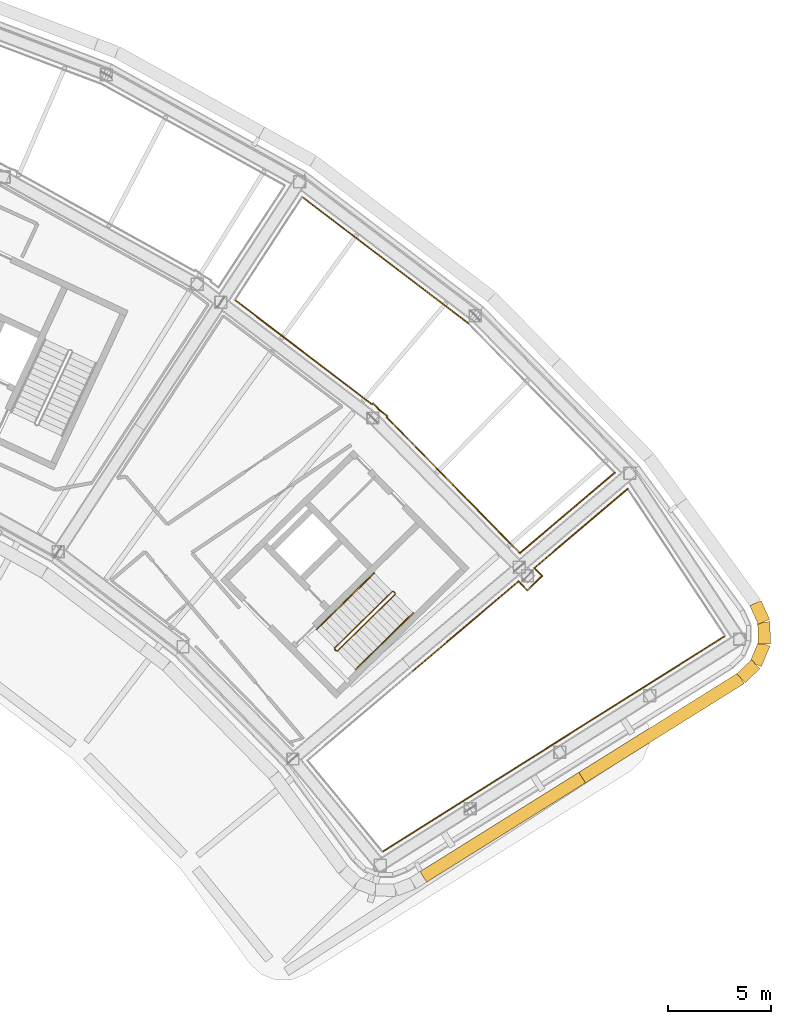
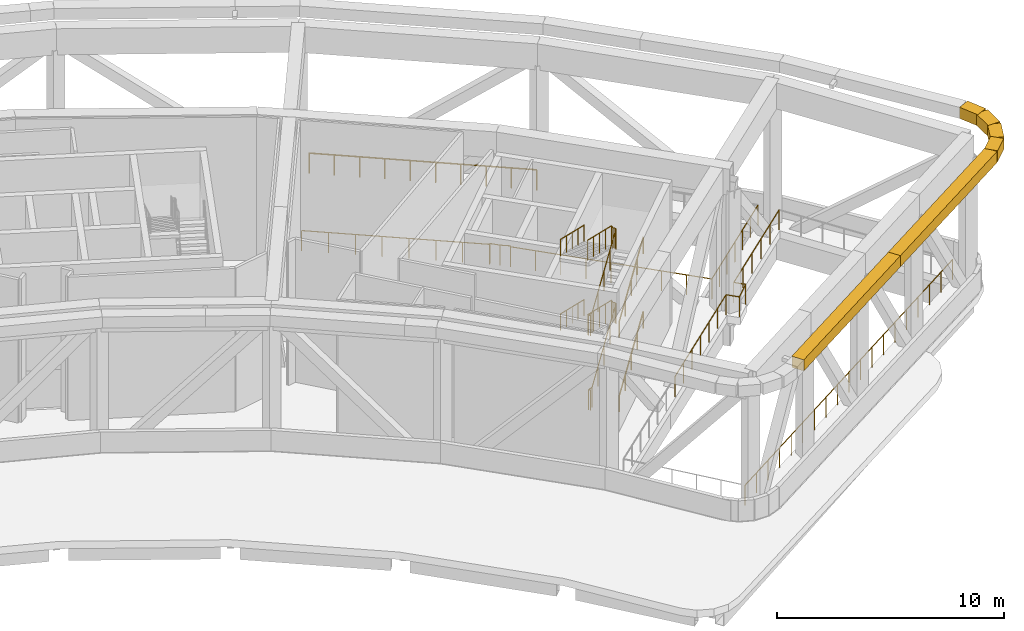
# One storey, part 24 of 27: 13 railings, 6 coverings.
"""IFC4 building model written with IfcOpenShell, lengths in metres."""

import ifcopenshell
import ifcopenshell.guid

model = None  # the IFC model being written
_history = None  # IfcOwnerHistory: only IFC2X3 demands one
_inside = {}  # id of a spatial element -> (the spatial element, [elements in it])
_under = {}  # id of a project, library or spatial element -> (it, [spatial elements below it])
_declared = {}  # id of a project -> (the project, [libraries it declares])
_typed = {}  # id of a type object -> (the type object, [elements of that type])
_made_of = {}  # id of a material, layer set ... -> (it, [elements and type objects made of it])


def new_model(schema):
    """Start an empty IFC model of exactly this schema.

    Asked for "IFC4X3", IfcOpenShell would pick the latest addendum, in which some entities
    have other attributes; the version numbers below select the first issue.
    IFC2X3 requires an IfcOwnerHistory on every rooted entity: one is made here for all.
    """
    global model, _history
    if schema == "IFC4X3":
        model = ifcopenshell.file(schema_version=(4, 3, 0, 0))
    else:
        model = ifcopenshell.file(schema=schema)
    _inside.clear()
    _under.clear()
    _declared.clear()
    _typed.clear()
    _made_of.clear()
    _history = None
    if model.schema == "IFC2X3":
        org = make("IfcOrganization", Name="unknown")
        user = make(
            "IfcPersonAndOrganization",
            ThePerson=make("IfcPerson", FamilyName="unknown"),
            TheOrganization=org,
        )
        app = make(
            "IfcApplication",
            ApplicationDeveloper=org,
            Version="unknown",
            ApplicationFullName="unknown",
            ApplicationIdentifier="unknown",
        )
        _history = make(
            "IfcOwnerHistory",
            OwningUser=user,
            OwningApplication=app,
            ChangeAction="ADDED",
            CreationDate=0,
        )
    return model


def make(cls, **values):
    """One entity of the class cls with the attributes given. An attribute that is None is left unset."""
    return model.create_entity(
        cls, **{name: value for name, value in values.items() if value is not None}
    )


def rooted(cls, **values):
    """An entity with a GlobalId (a new one), such as an element, a storey or a relation."""
    return make(cls, GlobalId=ifcopenshell.guid.new(), OwnerHistory=_history, **values)


def si_unit(unit_type, name, prefix=None):
    """IfcSIUnit, for example si_unit("LENGTHUNIT", "METRE", prefix="MILLI")."""
    return make("IfcSIUnit", UnitType=unit_type, Prefix=prefix, Name=name)


def assignment(units):
    """IfcUnitAssignment: the units of a project."""
    return None if units is None else make("IfcUnitAssignment", Units=units)


def point(xyz):
    """IfcCartesianPoint."""
    return None if xyz is None else make("IfcCartesianPoint", Coordinates=xyz)


def direction(xyz):
    """IfcDirection."""
    return None if xyz is None else make("IfcDirection", DirectionRatios=xyz)


def frame(location, z_axis=None, x_axis=None):
    """IfcAxis2Placement3D, a coordinate frame: its origin and axes. An axis left out is left unset."""
    return make(
        "IfcAxis2Placement3D",
        Location=point(location),
        Axis=direction(z_axis),
        RefDirection=direction(x_axis),
    )


def frame_2d(location, x_axis=None):
    """IfcAxis2Placement2D, a coordinate frame in the plane: its origin and x axis."""
    return make(
        "IfcAxis2Placement2D", Location=point(location), RefDirection=direction(x_axis)
    )


def origin():
    """The frame at (0, 0, 0) with its axes left unset."""
    return frame((0.0, 0.0, 0.0))


def origin_2d():
    """The frame at (0, 0) in the plane with its x axis left unset."""
    return frame_2d((0.0, 0.0))


def place(relative_to, where):
    """IfcLocalPlacement: puts the frame where relative to a parent placement (None: the world)."""
    return make(
        "IfcLocalPlacement", PlacementRelTo=relative_to, RelativePlacement=where
    )


def context(
    kind, dimensions, precision=None, world=None, true_north=None, identifier=None
):
    """IfcGeometricRepresentationContext, for example the 3D "Model" context."""
    return make(
        "IfcGeometricRepresentationContext",
        ContextIdentifier=identifier,
        ContextType=kind,
        CoordinateSpaceDimension=dimensions,
        Precision=precision,
        WorldCoordinateSystem=world,
        TrueNorth=true_north,
    )


def subcontext(parent, identifier, kind, view, scale=None):
    """IfcGeometricRepresentationSubContext, for example "Body" below "Model"."""
    return make(
        "IfcGeometricRepresentationSubContext",
        ContextIdentifier=identifier,
        ContextType=kind,
        ParentContext=parent,
        TargetScale=scale,
        TargetView=view,
    )


def project(units=None, contexts=None):
    """IfcProject with its units and contexts."""
    return rooted(
        "IfcProject",
        Name="project",
        RepresentationContexts=contexts,
        UnitsInContext=assignment(units),
    )


def spatial(cls, under=None, at=None, **own):
    """A site, building, storey or space (cls), placed at a placement, below another one or the project."""
    s = rooted(cls, ObjectPlacement=at, **own)
    if under is not None:
        _under.setdefault(under.id(), (under, []))[1].append(s)
    return s


def profile(cls, at=None, kind="AREA", **sizes):
    """A parametric profile (cls). Its sizes go by their IFC names, for example OverallWidth=200.0."""
    return make(cls, ProfileType=kind, Position=at, **sizes)


def rectangle(**sizes):
    """IfcRectangleProfileDef."""
    return profile("IfcRectangleProfileDef", **sizes)


def circle(**sizes):
    """IfcCircleProfileDef."""
    return profile("IfcCircleProfileDef", **sizes)


def extrude(swept, where, along, depth):
    """IfcExtrudedAreaSolid: the profile swept, set in the frame where, extruded along a direction by depth."""
    return make(
        "IfcExtrudedAreaSolid",
        SweptArea=swept,
        Position=where,
        ExtrudedDirection=direction(along),
        Depth=depth,
    )


def shape(context_of_items, identifier, shape_type, items):
    """IfcShapeRepresentation: the items that make up one representation, for example the "Body"."""
    return make(
        "IfcShapeRepresentation",
        ContextOfItems=context_of_items,
        RepresentationIdentifier=identifier,
        RepresentationType=shape_type,
        Items=items,
    )


def material(Name=None, Category=None):
    """IfcMaterial."""
    return make("IfcMaterial", Name=Name, Category=Category)


def material_profile(
    of_material, cross_section, Name=None, Category=None, Priority=None
):
    """IfcMaterialProfile: a cross section and its material."""
    return make(
        "IfcMaterialProfile",
        Name=Name,
        Material=of_material,
        Profile=cross_section,
        Priority=Priority,
        Category=Category,
    )


def profile_set(profiles, Name=None, composite=None):
    """IfcMaterialProfileSet."""
    return make(
        "IfcMaterialProfileSet",
        Name=Name,
        MaterialProfiles=profiles,
        CompositeProfile=composite,
    )


def made_of(thing, what):
    """Note that an element or type object is made of a material, layer set ...; save() writes the relation."""
    if what is not None:
        _made_of.setdefault(what.id(), (what, []))[1].append(thing)
    return thing


def type_object(cls, material=None, **own):
    """A type object (cls), such as IfcWallType, which elements share."""
    return made_of(rooted(cls, **own), material)


def element(
    cls,
    number,
    at=None,
    inside=None,
    cuts=None,
    type_object=None,
    material=None,
    context=None,
    identifier="Body",
    shape_type=None,
    held_by="IfcProductDefinitionShape",
    body=None,
    shapes=None,
    **own,
):
    """One element of the class cls, such as IfcWall. Its Tag is "e" and its number.

    at: its placement. inside: the storey or other place that contains it. cuts: it is an
    opening in that element (IfcRelVoidsElement). A single representation is given by context,
    identifier, shape_type and body (its items); several are given by shapes. held_by: the class
    of the entity that holds the representations. save() writes the other relations.
    """
    e = rooted(cls, Tag="e%d" % number, ObjectPlacement=at, **own)
    if body is not None:
        shapes = [shape(context, identifier, shape_type, body)]
    if shapes is not None:
        e.Representation = make(held_by, Representations=shapes)
    if inside is not None:
        _inside.setdefault(inside.id(), (inside, []))[1].append(e)
    if cuts is not None:
        rooted(
            "IfcRelVoidsElement", RelatingBuildingElement=cuts, RelatedOpeningElement=e
        )
    if type_object is not None:
        _typed.setdefault(type_object.id(), (type_object, []))[1].append(e)
    return made_of(e, material)


def aggregate(whole, parts):
    """IfcRelAggregates: a whole, such as a stair, and the parts it consists of."""
    return rooted("IfcRelAggregates", RelatingObject=whole, RelatedObjects=parts)


def save(model, path):
    """Write the relations noted so far, then the file.

    IfcRelAggregates (storeys below a building ...), IfcRelContainedInSpatialStructure (elements
    in a storey), IfcRelDefinesByType, IfcRelAssociatesMaterial and IfcRelDeclares: one each for
    every whole, place, type object, material and project.
    """
    for whole, parts in _under.values():
        aggregate(whole, parts)
    for where, things in _inside.values():
        rooted(
            "IfcRelContainedInSpatialStructure",
            RelatedElements=things,
            RelatingStructure=where,
        )
    for kind, things in _typed.values():
        rooted("IfcRelDefinesByType", RelatedObjects=things, RelatingType=kind)
    for what, things in _made_of.values():
        rooted("IfcRelAssociatesMaterial", RelatedObjects=things, RelatingMaterial=what)
    for by, libraries in _declared.values():
        rooted("IfcRelDeclares", RelatingContext=by, RelatedDefinitions=libraries)
    model.write(path)


model = new_model("IFC4")

# Units and contexts
model_context = context("Model", 3, precision=1e-05, world=origin(), true_north=direction((0.0, 1.0)))
body_context = subcontext(model_context, "Body", "Model", "MODEL_VIEW")
ifc_project = project(units=[si_unit("LENGTHUNIT", "METRE"), si_unit("AREAUNIT", "SQUARE_METRE"), si_unit("VOLUMEUNIT", "CUBIC_METRE"), si_unit("PLANEANGLEUNIT", "RADIAN"), si_unit("MASSUNIT", "GRAM", prefix="KILO")], contexts=[model_context])

# Site, building, storey
site_placement = place(None, origin())
site = spatial("IfcSite", under=ifc_project, at=site_placement, CompositionType="ELEMENT")
building_placement = place(site_placement, origin())
building = spatial("IfcBuilding", under=site, at=building_placement, Name="Tuul Gate Civic Tower", CompositionType="ELEMENT")
storey_placement = place(building_placement, frame((0.0, 0.0, 201.5)))
storey = spatial("IfcBuildingStorey", under=building, at=storey_placement, Name="Wind floor 1", CompositionType="ELEMENT", Elevation=201.5)

# Railings
ifc_material_1 = material(Name="Painted steel", Category="steel")
railing_type_1 = type_object("IfcRailingType", Name="Slot guard", PredefinedType="GUARDRAIL", material=ifc_material_1)
railing_1_placement = place(storey_placement, frame((50.21875, -4.4990234375, 0.0)))
element("IfcRailing", 1, at=railing_1_placement, inside=storey, type_object=railing_type_1, Name="Guard", PredefinedType="GUARDRAIL", context=body_context, shape_type="SweptSolid", body=[
    extrude(circle(Radius=0.02392578125, at=origin_2d()), frame((0.0, 0.0, 1.076171875), z_axis=(0.795492142745, -0.60596390225, 0.0), x_axis=(0.60596390225, 0.795492142745, 0.0)), (0.0, 0.0, 1.0), 0.463623046875),
    extrude(circle(Radius=0.02392578125, at=origin_2d()), frame((0.368896484375, -0.281005859375, 1.076171875), z_axis=(-0.604624178131, -0.796510893346, 0.0), x_axis=(0.796510893346, -0.604624178131, 0.0)), (0.0, 0.0, 1.0), 0.0673828125),
    extrude(circle(Radius=0.02392578125, at=origin_2d()), frame((0.328125, -0.334716796875, 1.076171875), z_axis=(0.700042236583, -0.714101440273, 0.0), x_axis=(0.714101440273, 0.700042236583, 0.0)), (0.0, 0.0, 1.0), 9.20361328125),
    extrude(circle(Radius=0.02099609375, at=origin_2d()), origin(), (0.0, 0.0, 1.0), 1.052001953125),
    extrude(circle(Radius=0.02099609375, at=origin_2d()), frame((0.368896484375, -0.281005859375, 0.0)), (0.0, 0.0, 1.0), 1.052001953125),
    extrude(circle(Radius=0.02099609375, at=origin_2d()), frame((0.328125, -0.334716796875, 0.0)), (0.0, 0.0, 1.0), 1.052001953125),
    extrude(circle(Radius=0.02099609375, at=origin_2d()), frame((1.133544921875, -1.15625, 0.0)), (0.0, 0.0, 1.0), 1.052001953125),
    extrude(circle(Radius=0.02099609375, at=origin_2d()), frame((1.93896484375, -1.977783203125, 0.0)), (0.0, 0.0, 1.0), 1.052001953125),
    extrude(circle(Radius=0.02099609375, at=origin_2d()), frame((2.744140625, -2.79931640625, 0.0)), (0.0, 0.0, 1.0), 1.052001953125),
    extrude(circle(Radius=0.02099609375, at=origin_2d()), frame((3.549560546875, -3.620849609375, 0.0)), (0.0, 0.0, 1.0), 1.052001953125),
    extrude(circle(Radius=0.02099609375, at=origin_2d()), frame((4.35498046875, -4.4423828125, 0.0)), (0.0, 0.0, 1.0), 1.052001953125),
    extrude(circle(Radius=0.02099609375, at=origin_2d()), frame((5.16015625, -5.263916015625, 0.0)), (0.0, 0.0, 1.0), 1.052001953125),
    extrude(circle(Radius=0.02099609375, at=origin_2d()), frame((5.965576171875, -6.08544921875, 0.0)), (0.0, 0.0, 1.0), 1.052001953125),
    extrude(circle(Radius=0.02099609375, at=origin_2d()), frame((6.77099609375, -6.906982421875, 0.0)), (0.0, 0.0, 1.0), 1.052001953125),
])
railing_2_placement = place(storey_placement, frame((56.98974609375, -11.406005859375, 0.0)))
element("IfcRailing", 2, at=railing_2_placement, inside=storey, type_object=railing_type_1, Name="Guard", PredefinedType="GUARDRAIL", context=body_context, shape_type="SweptSolid", body=[
    extrude(circle(Radius=0.02392578125, at=origin_2d()), frame((0.0, 0.0, 1.076171875), z_axis=(0.762811793953, 0.646620574221, 0.0), x_axis=(-0.646620574221, 0.762811793953, 0.0)), (0.0, 0.0, 1.0), 6.015625),
    extrude(circle(Radius=0.02099609375, at=origin_2d()), origin(), (0.0, 0.0, 1.0), 1.052001953125),
    extrude(circle(Radius=0.02099609375, at=origin_2d()), frame((0.764892578125, 0.6484375, 0.0)), (0.0, 0.0, 1.0), 1.052001953125),
    extrude(circle(Radius=0.02099609375, at=origin_2d()), frame((1.529541015625, 1.296630859375, 0.0)), (0.0, 0.0, 1.0), 1.052001953125),
    extrude(circle(Radius=0.02099609375, at=origin_2d()), frame((2.29443359375, 1.94482421875, 0.0)), (0.0, 0.0, 1.0), 1.052001953125),
    extrude(circle(Radius=0.02099609375, at=origin_2d()), frame((3.059326171875, 2.59326171875, 0.0)), (0.0, 0.0, 1.0), 1.052001953125),
    extrude(circle(Radius=0.02099609375, at=origin_2d()), frame((3.823974609375, 3.24169921875, 0.0)), (0.0, 0.0, 1.0), 1.052001953125),
    extrude(circle(Radius=0.02099609375, at=origin_2d()), frame((4.5888671875, 3.889892578125, 0.0)), (0.0, 0.0, 1.0), 1.052001953125),
])
railing_3_placement = place(storey_placement, frame((54.50537109375, -0.30078125, 0.0)))
element("IfcRailing", 3, at=railing_3_placement, inside=storey, type_object=railing_type_1, Name="Guard", PredefinedType="GUARDRAIL", context=body_context, shape_type="SweptSolid", body=[
    extrude(circle(Radius=0.02392578125, at=origin_2d()), frame((0.0, 0.0, 1.076171875), z_axis=(-0.795635251969, 0.605775986503, 0.0), x_axis=(-0.605775986503, -0.795635251969, 0.0)), (0.0, 0.0, 1.0), 10.103271484375),
    extrude(circle(Radius=0.02099609375, at=origin_2d()), origin(), (0.0, 0.0, 1.0), 1.052001953125),
    extrude(circle(Radius=0.02099609375, at=origin_2d()), frame((-0.89306640625, 0.679931640625, 0.0)), (0.0, 0.0, 1.0), 1.052001953125),
    extrude(circle(Radius=0.02099609375, at=origin_2d()), frame((-1.786376953125, 1.360107421875, 0.0)), (0.0, 0.0, 1.0), 1.052001953125),
    extrude(circle(Radius=0.02099609375, at=origin_2d()), frame((-2.679443359375, 2.0400390625, 0.0)), (0.0, 0.0, 1.0), 1.052001953125),
    extrude(circle(Radius=0.02099609375, at=origin_2d()), frame((-3.57275390625, 2.72021484375, 0.0)), (0.0, 0.0, 1.0), 1.052001953125),
    extrude(circle(Radius=0.02099609375, at=origin_2d()), frame((-4.4658203125, 3.400146484375, 0.0)), (0.0, 0.0, 1.0), 1.052001953125),
    extrude(circle(Radius=0.02099609375, at=origin_2d()), frame((-5.359130859375, 4.080322265625, 0.0)), (0.0, 0.0, 1.0), 1.052001953125),
    extrude(circle(Radius=0.02099609375, at=origin_2d()), frame((-6.252197265625, 4.76025390625, 0.0)), (0.0, 0.0, 1.0), 1.052001953125),
    extrude(circle(Radius=0.02099609375, at=origin_2d()), frame((-7.1455078125, 5.4404296875, 0.0)), (0.0, 0.0, 1.0), 1.052001953125),
    extrude(circle(Radius=0.02099609375, at=origin_2d()), frame((-8.03857421875, 6.120361328125, 0.0)), (0.0, 0.0, 1.0), 1.052001953125),
])
railing_4_placement = place(storey_placement, frame((43.21240234375, 0.83544921875, 0.0)))
element("IfcRailing", 4, at=railing_4_placement, inside=storey, type_object=railing_type_1, Name="Guard", PredefinedType="GUARDRAIL", context=body_context, shape_type="SweptSolid", body=[
    extrude(circle(Radius=0.02392578125, at=origin_2d()), frame((0.0, 0.0, 1.076171875), z_axis=(0.795628636918, -0.605784674712, 0.0), x_axis=(0.605784674712, 0.795628636918, 0.0)), (0.0, 0.0, 1.0), 8.337158203125),
    extrude(circle(Radius=0.02392578125, at=origin_2d()), frame((6.63330078125, -5.050537109375, 1.076171875), z_axis=(0.716090520118, 0.698007426176, 0.0), x_axis=(-0.698007426176, 0.716090520118, 0.0)), (0.0, 0.0, 1.0), 0.067626953125),
    extrude(circle(Radius=0.02392578125, at=origin_2d()), frame((6.681640625, -5.00341796875, 1.076171875), z_axis=(0.700229309304, -0.713918002569, 0.0), x_axis=(0.713918002569, 0.700229309304, 0.0)), (0.0, 0.0, 1.0), 0.463623046875),
    extrude(circle(Radius=0.02099609375, at=origin_2d()), origin(), (0.0, 0.0, 1.0), 1.052001953125),
    extrude(circle(Radius=0.02099609375, at=origin_2d()), frame((0.947509765625, -0.721435546875, 0.0)), (0.0, 0.0, 1.0), 1.052001953125),
    extrude(circle(Radius=0.02099609375, at=origin_2d()), frame((1.895263671875, -1.443115234375, 0.0)), (0.0, 0.0, 1.0), 1.052001953125),
    extrude(circle(Radius=0.02099609375, at=origin_2d()), frame((2.8427734375, -2.16455078125, 0.0)), (0.0, 0.0, 1.0), 1.052001953125),
    extrude(circle(Radius=0.02099609375, at=origin_2d()), frame((3.79052734375, -2.885986328125, 0.0)), (0.0, 0.0, 1.0), 1.052001953125),
    extrude(circle(Radius=0.02099609375, at=origin_2d()), frame((4.738037109375, -3.607421875, 0.0)), (0.0, 0.0, 1.0), 1.052001953125),
    extrude(circle(Radius=0.02099609375, at=origin_2d()), frame((5.685791015625, -4.3291015625, 0.0)), (0.0, 0.0, 1.0), 1.052001953125),
    extrude(circle(Radius=0.02099609375, at=origin_2d()), frame((6.63330078125, -5.050537109375, 0.0)), (0.0, 0.0, 1.0), 1.052001953125),
    extrude(circle(Radius=0.02099609375, at=origin_2d()), frame((6.681640625, -5.00341796875, 0.0)), (0.0, 0.0, 1.0), 1.052001953125),
    extrude(circle(Radius=0.02099609375, at=origin_2d()), frame((7.00634765625, -5.33447265625, 0.0)), (0.0, 0.0, 1.0), 1.052001953125),
])
railing_5_placement = place(storey_placement, frame((50.34765625, -25.843017578125, 0.0)))
element("IfcRailing", 5, at=railing_5_placement, inside=storey, type_object=railing_type_1, Name="Guard", PredefinedType="GUARDRAIL", context=body_context, shape_type="SweptSolid", body=[
    extrude(circle(Radius=0.02392578125, at=origin_2d()), frame((0.0, 0.0, 1.076171875), z_axis=(0.846205346491, 0.532856933491, 0.0), x_axis=(-0.532856933491, 0.846205346491, 0.0)), (0.0, 0.0, 1.0), 9.78759765625),
    extrude(circle(Radius=0.02099609375, at=origin_2d()), origin(), (0.0, 0.0, 1.0), 1.052001953125),
    extrude(circle(Radius=0.02099609375, at=origin_2d()), frame((0.920166015625, 0.57958984375, 0.0)), (0.0, 0.0, 1.0), 1.052001953125),
    extrude(circle(Radius=0.02099609375, at=origin_2d()), frame((1.840576171875, 1.158935546875, 0.0)), (0.0, 0.0, 1.0), 1.052001953125),
    extrude(circle(Radius=0.02099609375, at=origin_2d()), frame((2.7607421875, 1.738525390625, 0.0)), (0.0, 0.0, 1.0), 1.052001953125),
    extrude(circle(Radius=0.02099609375, at=origin_2d()), frame((3.680908203125, 2.31787109375, 0.0)), (0.0, 0.0, 1.0), 1.052001953125),
    extrude(circle(Radius=0.02099609375, at=origin_2d()), frame((4.601318359375, 2.8974609375, 0.0)), (0.0, 0.0, 1.0), 1.052001953125),
    extrude(circle(Radius=0.02099609375, at=origin_2d()), frame((5.521484375, 3.476806640625, 0.0)), (0.0, 0.0, 1.0), 1.052001953125),
    extrude(circle(Radius=0.02099609375, at=origin_2d()), frame((6.441650390625, 4.056396484375, 0.0)), (0.0, 0.0, 1.0), 1.052001953125),
    extrude(circle(Radius=0.02099609375, at=origin_2d()), frame((7.362060546875, 4.6357421875, 0.0)), (0.0, 0.0, 1.0), 1.052001953125),
    extrude(circle(Radius=0.02099609375, at=origin_2d()), frame((8.2822265625, 5.21533203125, 0.0)), (0.0, 0.0, 1.0), 1.052001953125),
])
railing_6_placement = place(storey_placement, frame((58.6298828125, -20.627685546875, 0.0)))
element("IfcRailing", 6, at=railing_6_placement, inside=storey, type_object=railing_type_1, Name="Guard", PredefinedType="GUARDRAIL", context=body_context, shape_type="SweptSolid", body=[
    extrude(circle(Radius=0.02392578125, at=origin_2d()), frame((0.0, 0.0, 1.076171875), z_axis=(0.846198263712, 0.532868181158, 0.0), x_axis=(-0.532868181158, 0.846198263712, 0.0)), (0.0, 0.0, 1.0), 9.787353515625),
    extrude(circle(Radius=0.02099609375, at=origin_2d()), origin(), (0.0, 0.0, 1.0), 1.052001953125),
    extrude(circle(Radius=0.02099609375, at=origin_2d()), frame((0.920166015625, 0.57958984375, 0.0)), (0.0, 0.0, 1.0), 1.052001953125),
    extrude(circle(Radius=0.02099609375, at=origin_2d()), frame((1.84033203125, 1.158935546875, 0.0)), (0.0, 0.0, 1.0), 1.052001953125),
    extrude(circle(Radius=0.02099609375, at=origin_2d()), frame((2.7607421875, 1.738525390625, 0.0)), (0.0, 0.0, 1.0), 1.052001953125),
    extrude(circle(Radius=0.02099609375, at=origin_2d()), frame((3.680908203125, 2.31787109375, 0.0)), (0.0, 0.0, 1.0), 1.052001953125),
    extrude(circle(Radius=0.02099609375, at=origin_2d()), frame((4.60107421875, 2.8974609375, 0.0)), (0.0, 0.0, 1.0), 1.052001953125),
    extrude(circle(Radius=0.02099609375, at=origin_2d()), frame((5.521240234375, 3.476806640625, 0.0)), (0.0, 0.0, 1.0), 1.052001953125),
    extrude(circle(Radius=0.02099609375, at=origin_2d()), frame((6.441650390625, 4.056396484375, 0.0)), (0.0, 0.0, 1.0), 1.052001953125),
    extrude(circle(Radius=0.02099609375, at=origin_2d()), frame((7.36181640625, 4.6357421875, 0.0)), (0.0, 0.0, 1.0), 1.052001953125),
    extrude(circle(Radius=0.02099609375, at=origin_2d()), frame((8.281982421875, 5.21533203125, 0.0)), (0.0, 0.0, 1.0), 1.052001953125),
])
railing_7_placement = place(storey_placement, frame((62.20556640625, -8.295654296875, 0.0)))
element("IfcRailing", 7, at=railing_7_placement, inside=storey, type_object=railing_type_1, Name="Guard", PredefinedType="GUARDRAIL", context=body_context, shape_type="SweptSolid", body=[
    extrude(circle(Radius=0.02392578125, at=origin_2d()), frame((0.0, 0.0, 1.076171875), z_axis=(-0.762827303631, -0.646602277165, 0.0), x_axis=(0.646602277165, -0.762827303631, 0.0)), (0.0, 0.0, 1.0), 5.917236328125),
    extrude(circle(Radius=0.02392578125, at=origin_2d()), frame((-4.513916015625, -3.826171875, 1.076171875), z_axis=(0.699826976339, -0.714312398876, 0.0), x_axis=(0.714312398876, 0.699826976339, 0.0)), (0.0, 0.0, 1.0), 0.539306640625),
    extrude(circle(Radius=0.02392578125, at=origin_2d()), frame((-4.136474609375, -4.21142578125, 1.076171875), z_axis=(-0.714151810266, -0.699990851293, 0.0), x_axis=(0.699990851293, -0.714151810266, 0.0)), (0.0, 0.0, 1.0), 1.0),
    extrude(circle(Radius=0.02392578125, at=origin_2d()), frame((-4.8505859375, -4.911376953125, 1.076171875), z_axis=(-0.700087373126, 0.714057189579, 0.0), x_axis=(-0.714057189579, -0.700087373126, 0.0)), (0.0, 0.0, 1.0), 0.611572265625),
    extrude(circle(Radius=0.02099609375, at=origin_2d()), origin(), (0.0, 0.0, 1.0), 1.052001953125),
    extrude(circle(Radius=0.02099609375, at=origin_2d()), frame((-0.90283203125, -0.76513671875, 0.0)), (0.0, 0.0, 1.0), 1.052001953125),
    extrude(circle(Radius=0.02099609375, at=origin_2d()), frame((-1.8056640625, -1.530517578125, 0.0)), (0.0, 0.0, 1.0), 1.052001953125),
    extrude(circle(Radius=0.02099609375, at=origin_2d()), frame((-2.708251953125, -2.295654296875, 0.0)), (0.0, 0.0, 1.0), 1.052001953125),
    extrude(circle(Radius=0.02099609375, at=origin_2d()), frame((-3.611083984375, -3.06103515625, 0.0)), (0.0, 0.0, 1.0), 1.052001953125),
    extrude(circle(Radius=0.02099609375, at=origin_2d()), frame((-4.513916015625, -3.826171875, 0.0)), (0.0, 0.0, 1.0), 1.052001953125),
    extrude(circle(Radius=0.02099609375, at=origin_2d()), frame((-4.136474609375, -4.21142578125, 0.0)), (0.0, 0.0, 1.0), 1.052001953125),
    extrude(circle(Radius=0.02099609375, at=origin_2d()), frame((-4.8505859375, -4.911376953125, 0.0)), (0.0, 0.0, 1.0), 1.052001953125),
    extrude(circle(Radius=0.02099609375, at=origin_2d()), frame((-5.27880859375, -4.474609375, 0.0)), (0.0, 0.0, 1.0), 1.052001953125),
])
railing_8_placement = place(storey_placement, frame((56.9267578125, -12.770263671875, 0.0)))
element("IfcRailing", 8, at=railing_8_placement, inside=storey, type_object=railing_type_1, Name="Guard", PredefinedType="GUARDRAIL", context=body_context, shape_type="SweptSolid", body=[
    extrude(circle(Radius=0.02392578125, at=origin_2d()), frame((0.0, 0.0, 1.076171875), z_axis=(-0.762828176883, -0.646601246947, 0.0), x_axis=(0.646601246947, -0.762828176883, 0.0)), (0.0, 0.0, 1.0), 6.690185546875),
    extrude(circle(Radius=0.02099609375, at=origin_2d()), origin(), (0.0, 0.0, 1.0), 1.052001953125),
    extrude(circle(Radius=0.02099609375, at=origin_2d()), frame((-0.8505859375, -0.720947265625, 0.0)), (0.0, 0.0, 1.0), 1.052001953125),
    extrude(circle(Radius=0.02099609375, at=origin_2d()), frame((-1.701171875, -1.44189453125, 0.0)), (0.0, 0.0, 1.0), 1.052001953125),
    extrude(circle(Radius=0.02099609375, at=origin_2d()), frame((-2.5517578125, -2.1630859375, 0.0)), (0.0, 0.0, 1.0), 1.052001953125),
    extrude(circle(Radius=0.02099609375, at=origin_2d()), frame((-3.40234375, -2.884033203125, 0.0)), (0.0, 0.0, 1.0), 1.052001953125),
    extrude(circle(Radius=0.02099609375, at=origin_2d()), frame((-4.2529296875, -3.60498046875, 0.0)), (0.0, 0.0, 1.0), 1.052001953125),
    extrude(circle(Radius=0.02099609375, at=origin_2d()), frame((-5.103515625, -4.325927734375, 0.0)), (0.0, 0.0, 1.0), 1.052001953125),
])
ifc_material_2 = material(Name="Painted steel", Category="steel")
railing_type_2 = type_object("IfcRailingType", Name="Stair guard", PredefinedType="GUARDRAIL", material=ifc_material_2)
railing_9_placement = place(storey_placement, frame((48.10546875, -16.134765625, 0.0)))
element("IfcRailing", 9, at=railing_9_placement, inside=storey, type_object=railing_type_2, Name="Wind floor 1 ST-3 stair guard 1", PredefinedType="GUARDRAIL", context=body_context, shape_type="SweptSolid", body=[
    extrude(circle(Radius=0.02392578125, at=origin_2d()), frame((0.0, 0.0, 1.076171875), z_axis=(-0.698506948293, 0.715603272202, 0.0), x_axis=(-0.715603272202, -0.698506948293, 0.0)), (0.0, 0.0, 1.0), 0.099853515625),
    extrude(circle(Radius=0.02392578125, at=origin_2d()), frame((-0.06982421875, 0.071533203125, 1.076171875), z_axis=(0.660015551656, -0.33917465849, 0.670328294651), x_axis=(0.457068866502, 0.889431307788, 0.0)), (0.0, 0.0, 1.0), 0.213134765625),
    extrude(circle(Radius=0.02392578125, at=origin_2d()), frame((0.07080078125, -0.000732421875, 1.21875), z_axis=(0.644747837634, 0.632031475129, 0.429926087034), x_axis=(-0.700029477518, 0.714113947914, 0.0)), (0.0, 0.0, 1.0), 4.31982421875),
    extrude(circle(Radius=0.02392578125, at=origin_2d()), frame((2.85595703125, 2.7294921875, 3.076171875), z_axis=(0.010380063588, 0.999946125689, 0.0), x_axis=(-0.999946125689, 0.010380063588, 0.0)), (0.0, 0.0, 1.0), 0.070556640625),
    extrude(circle(Radius=0.02392578125, at=origin_2d()), frame((2.856689453125, 2.800048828125, 3.076171875), z_axis=(-0.699754442181, 0.714383454909, 0.0), x_axis=(-0.714383454909, -0.699754442181, 0.0)), (0.0, 0.0, 1.0), 0.10009765625),
    extrude(circle(Radius=0.02392578125, at=origin_2d()), frame((2.78662109375, 2.87158203125, 3.076171875), z_axis=(-0.444143196092, 0.004594584787, 0.895944033495), x_axis=(-0.010344274102, -0.999946496565, 0.0)), (0.0, 0.0, 1.0), 0.159423828125),
    extrude(circle(Radius=0.02392578125, at=origin_2d()), frame((2.7158203125, 2.872314453125, 3.21875), z_axis=(-0.644747837634, -0.632031475129, 0.429926087034), x_axis=(0.700029477518, -0.714113947914, 0.0)), (0.0, 0.0, 1.0), 4.31982421875),
    extrude(circle(Radius=0.02392578125, at=origin_2d()), frame((-0.0693359375, 0.14208984375, 5.076171875), z_axis=(0.438545321651, -0.89870907465, 0.0), x_axis=(0.89870907465, 0.438545321651, 0.0)), (0.0, 0.0, 1.0), 0.158203125),
    extrude(circle(Radius=0.02392578125, at=origin_2d()), frame((0.0, 0.0, 5.076171875), z_axis=(-0.698506948293, 0.715603272202, 0.0), x_axis=(-0.715603272202, -0.698506948293, 0.0)), (0.0, 0.0, 1.0), 0.099853515625),
    extrude(circle(Radius=0.02392578125, at=origin_2d()), frame((-0.06982421875, 0.071533203125, 5.076171875), z_axis=(0.660015551656, -0.33917465849, 0.670328294651), x_axis=(0.457068866502, 0.889431307788, 0.0)), (0.0, 0.0, 1.0), 0.213134765625),
    extrude(circle(Radius=0.02392578125, at=origin_2d()), frame((0.07080078125, -0.000732421875, 5.21875), z_axis=(0.644747837634, 0.632031475129, 0.429926087034), x_axis=(-0.700029477518, 0.714113947914, 0.0)), (0.0, 0.0, 1.0), 4.31982421875),
    extrude(circle(Radius=0.02392578125, at=origin_2d()), frame((2.85595703125, 2.7294921875, 7.076171875), z_axis=(0.010380063588, 0.999946125689, 0.0), x_axis=(-0.999946125689, 0.010380063588, 0.0)), (0.0, 0.0, 1.0), 0.070556640625),
    extrude(circle(Radius=0.02392578125, at=origin_2d()), frame((2.856689453125, 2.800048828125, 7.076171875), z_axis=(-0.699754442181, 0.714383454909, 0.0), x_axis=(-0.714383454909, -0.699754442181, 0.0)), (0.0, 0.0, 1.0), 0.10009765625),
    extrude(circle(Radius=0.02392578125, at=origin_2d()), frame((2.78662109375, 2.87158203125, 7.076171875), z_axis=(-0.444143196092, 0.004594584787, 0.895944033495), x_axis=(-0.010344274102, -0.999946496565, 0.0)), (0.0, 0.0, 1.0), 0.159423828125),
    extrude(circle(Radius=0.02392578125, at=origin_2d()), frame((2.7158203125, 2.872314453125, 7.21875), z_axis=(-0.644747837634, -0.632031475129, 0.429926087034), x_axis=(0.700029477518, -0.714113947914, 0.0)), (0.0, 0.0, 1.0), 4.31982421875),
    extrude(circle(Radius=0.02099609375, at=origin_2d()), origin(), (0.0, 0.0, 1.0), 1.052001953125),
    extrude(circle(Radius=0.02099609375, at=origin_2d()), frame((-0.06982421875, 0.071533203125, 0.0)), (0.0, 0.0, 1.0), 1.052001953125),
    extrude(circle(Radius=0.02099609375, at=origin_2d()), frame((0.07080078125, -0.000732421875, 0.142822265625)), (0.0, 0.0, 1.0), 1.052001953125),
    extrude(circle(Radius=0.02099609375, at=origin_2d()), frame((0.76708984375, 0.681884765625, 0.607177734375)), (0.0, 0.0, 1.0), 1.052001953125),
    extrude(circle(Radius=0.02099609375, at=origin_2d()), frame((1.46337890625, 1.3642578125, 1.0712890625)), (0.0, 0.0, 1.0), 1.052001953125),
    extrude(circle(Radius=0.02099609375, at=origin_2d()), frame((2.15966796875, 2.046875, 1.53564453125)), (0.0, 0.0, 1.0), 1.052001953125),
    extrude(circle(Radius=0.02099609375, at=origin_2d()), frame((2.85595703125, 2.7294921875, 2.0)), (0.0, 0.0, 1.0), 1.052001953125),
    extrude(circle(Radius=0.02099609375, at=origin_2d()), frame((2.856689453125, 2.800048828125, 2.0)), (0.0, 0.0, 1.0), 1.052001953125),
    extrude(circle(Radius=0.02099609375, at=origin_2d()), frame((2.78662109375, 2.87158203125, 2.0)), (0.0, 0.0, 1.0), 1.052001953125),
    extrude(circle(Radius=0.02099609375, at=origin_2d()), frame((2.7158203125, 2.872314453125, 2.142822265625)), (0.0, 0.0, 1.0), 1.052001953125),
    extrude(circle(Radius=0.02099609375, at=origin_2d()), frame((2.01953125, 2.189697265625, 2.607177734375)), (0.0, 0.0, 1.0), 1.052001953125),
    extrude(circle(Radius=0.02099609375, at=origin_2d()), frame((1.3232421875, 1.50732421875, 3.0712890625)), (0.0, 0.0, 1.0), 1.052001953125),
    extrude(circle(Radius=0.02099609375, at=origin_2d()), frame((0.626953125, 0.82470703125, 3.53564453125)), (0.0, 0.0, 1.0), 1.052001953125),
    extrude(circle(Radius=0.02099609375, at=origin_2d()), frame((-0.0693359375, 0.14208984375, 4.0)), (0.0, 0.0, 1.0), 1.052001953125),
    extrude(circle(Radius=0.02099609375, at=origin_2d()), frame((0.0, 0.0, 4.0)), (0.0, 0.0, 1.0), 1.052001953125),
    extrude(circle(Radius=0.02099609375, at=origin_2d()), frame((-0.06982421875, 0.071533203125, 4.0)), (0.0, 0.0, 1.0), 1.052001953125),
    extrude(circle(Radius=0.02099609375, at=origin_2d()), frame((0.07080078125, -0.000732421875, 4.142822265625)), (0.0, 0.0, 1.0), 1.052001953125),
    extrude(circle(Radius=0.02099609375, at=origin_2d()), frame((0.76708984375, 0.681884765625, 4.607177734375)), (0.0, 0.0, 1.0), 1.052001953125),
    extrude(circle(Radius=0.02099609375, at=origin_2d()), frame((1.46337890625, 1.3642578125, 5.0712890625)), (0.0, 0.0, 1.0), 1.052001953125),
    extrude(circle(Radius=0.02099609375, at=origin_2d()), frame((2.15966796875, 2.046875, 5.53564453125)), (0.0, 0.0, 1.0), 1.052001953125),
    extrude(circle(Radius=0.02099609375, at=origin_2d()), frame((2.85595703125, 2.7294921875, 6.0)), (0.0, 0.0, 1.0), 1.052001953125),
    extrude(circle(Radius=0.02099609375, at=origin_2d()), frame((2.856689453125, 2.800048828125, 6.0)), (0.0, 0.0, 1.0), 1.052001953125),
    extrude(circle(Radius=0.02099609375, at=origin_2d()), frame((2.78662109375, 2.87158203125, 6.0)), (0.0, 0.0, 1.0), 1.052001953125),
    extrude(circle(Radius=0.02099609375, at=origin_2d()), frame((2.7158203125, 2.872314453125, 6.142822265625)), (0.0, 0.0, 1.0), 1.052001953125),
    extrude(circle(Radius=0.02099609375, at=origin_2d()), frame((2.01953125, 2.189697265625, 6.607177734375)), (0.0, 0.0, 1.0), 1.052001953125),
    extrude(circle(Radius=0.02099609375, at=origin_2d()), frame((1.3232421875, 1.50732421875, 7.0712890625)), (0.0, 0.0, 1.0), 1.052001953125),
    extrude(circle(Radius=0.02099609375, at=origin_2d()), frame((0.626953125, 0.82470703125, 7.53564453125)), (0.0, 0.0, 1.0), 1.052001953125),
    extrude(circle(Radius=0.02099609375, at=origin_2d()), frame((-0.0693359375, 0.14208984375, 8.0)), (0.0, 0.0, 1.0), 1.052001953125),
])
ifc_material_3 = material(Name="Painted steel", Category="steel")
railing_type_3 = type_object("IfcRailingType", Name="Stair handrail", PredefinedType="HANDRAIL", material=ifc_material_3)
railing_10_placement = place(storey_placement, frame((49.05126953125, -17.028076171875, 0.142822265625)))
element("IfcRailing", 10, at=railing_10_placement, inside=storey, type_object=railing_type_3, Name="Wind floor 1 ST-3 stair handrail 1", PredefinedType="HANDRAIL", context=body_context, shape_type="SweptSolid", body=[
    extrude(circle(Radius=0.02392578125, at=origin_2d()), frame((0.0, 0.0, 0.8759765625), z_axis=(0.644770868637, 0.631997532705, 0.4299414444), x_axis=(-0.699997553204, 0.714145241186, 0.0)), (0.0, 0.0, 1.0), 4.319580078125),
    extrude(circle(Radius=0.02099609375, at=origin_2d()), origin(), (0.0, 0.0, 1.0), 0.851806640625),
    extrude(circle(Radius=0.02099609375, at=origin_2d()), frame((0.6962890625, 0.6826171875, 0.46435546875)), (0.0, 0.0, 1.0), 0.851806640625),
    extrude(circle(Radius=0.02099609375, at=origin_2d()), frame((1.392578125, 1.364990234375, 0.9287109375)), (0.0, 0.0, 1.0), 0.851806640625),
    extrude(circle(Radius=0.02099609375, at=origin_2d()), frame((2.0888671875, 2.04736328125, 1.392822265625)), (0.0, 0.0, 1.0), 0.851806640625),
    extrude(circle(Radius=0.02099609375, at=origin_2d()), frame((2.78515625, 2.72998046875, 1.857177734375)), (0.0, 0.0, 1.0), 0.851806640625),
])
railing_11_placement = place(storey_placement, frame((49.9462890625, -12.369873046875, 2.142822265625)))
element("IfcRailing", 11, at=railing_11_placement, inside=storey, type_object=railing_type_3, Name="Wind floor 1 ST-3 stair handrail 2", PredefinedType="HANDRAIL", context=body_context, shape_type="SweptSolid", body=[
    extrude(circle(Radius=0.02392578125, at=origin_2d()), frame((0.0, 0.0, 0.8759765625), z_axis=(-0.644770868637, -0.631997532705, 0.4299414444), x_axis=(0.699997553204, -0.714145241186, 0.0)), (0.0, 0.0, 1.0), 4.319580078125),
    extrude(circle(Radius=0.02099609375, at=origin_2d()), origin(), (0.0, 0.0, 1.0), 0.851806640625),
    extrude(circle(Radius=0.02099609375, at=origin_2d()), frame((-0.6962890625, -0.6826171875, 0.46435546875)), (0.0, 0.0, 1.0), 0.851806640625),
    extrude(circle(Radius=0.02099609375, at=origin_2d()), frame((-1.392578125, -1.364990234375, 0.9287109375)), (0.0, 0.0, 1.0), 0.851806640625),
    extrude(circle(Radius=0.02099609375, at=origin_2d()), frame((-2.0888671875, -2.04736328125, 1.392822265625)), (0.0, 0.0, 1.0), 0.851806640625),
    extrude(circle(Radius=0.02099609375, at=origin_2d()), frame((-2.78515625, -2.72998046875, 1.857177734375)), (0.0, 0.0, 1.0), 0.851806640625),
])
railing_12_placement = place(storey_placement, frame((49.05126953125, -17.028076171875, 4.142822265625)))
element("IfcRailing", 12, at=railing_12_placement, inside=storey, type_object=railing_type_3, Name="Wind floor 1 ST-3 stair handrail 3", PredefinedType="HANDRAIL", context=body_context, shape_type="SweptSolid", body=[
    extrude(circle(Radius=0.02392578125, at=origin_2d()), frame((0.0, 0.0, 0.8759765625), z_axis=(0.644770868637, 0.631997532705, 0.4299414444), x_axis=(-0.699997553204, 0.714145241186, 0.0)), (0.0, 0.0, 1.0), 4.319580078125),
    extrude(circle(Radius=0.02099609375, at=origin_2d()), origin(), (0.0, 0.0, 1.0), 0.851806640625),
    extrude(circle(Radius=0.02099609375, at=origin_2d()), frame((0.6962890625, 0.6826171875, 0.46435546875)), (0.0, 0.0, 1.0), 0.851806640625),
    extrude(circle(Radius=0.02099609375, at=origin_2d()), frame((1.392578125, 1.364990234375, 0.9287109375)), (0.0, 0.0, 1.0), 0.851806640625),
    extrude(circle(Radius=0.02099609375, at=origin_2d()), frame((2.0888671875, 2.04736328125, 1.392822265625)), (0.0, 0.0, 1.0), 0.851806640625),
    extrude(circle(Radius=0.02099609375, at=origin_2d()), frame((2.78515625, 2.72998046875, 1.857177734375)), (0.0, 0.0, 1.0), 0.851806640625),
])
railing_13_placement = place(storey_placement, frame((49.9462890625, -12.369873046875, 6.142822265625)))
element("IfcRailing", 13, at=railing_13_placement, inside=storey, type_object=railing_type_3, Name="Wind floor 1 ST-3 stair handrail 4", PredefinedType="HANDRAIL", context=body_context, shape_type="SweptSolid", body=[
    extrude(circle(Radius=0.02392578125, at=origin_2d()), frame((0.0, 0.0, 0.8759765625), z_axis=(-0.644770868637, -0.631997532705, 0.4299414444), x_axis=(0.699997553204, -0.714145241186, 0.0)), (0.0, 0.0, 1.0), 4.319580078125),
    extrude(circle(Radius=0.02099609375, at=origin_2d()), origin(), (0.0, 0.0, 1.0), 0.851806640625),
    extrude(circle(Radius=0.02099609375, at=origin_2d()), frame((-0.6962890625, -0.6826171875, 0.46435546875)), (0.0, 0.0, 1.0), 0.851806640625),
    extrude(circle(Radius=0.02099609375, at=origin_2d()), frame((-1.392578125, -1.364990234375, 0.9287109375)), (0.0, 0.0, 1.0), 0.851806640625),
    extrude(circle(Radius=0.02099609375, at=origin_2d()), frame((-2.0888671875, -2.04736328125, 1.392822265625)), (0.0, 0.0, 1.0), 0.851806640625),
    extrude(circle(Radius=0.02099609375, at=origin_2d()), frame((-2.78515625, -2.72998046875, 1.857177734375)), (0.0, 0.0, 1.0), 0.851806640625),
])

# Coverings
ifc_material_4 = material(Name="Terracotta baguette", Category="masonry")
ifc_material_profile = material_profile(ifc_material_4, rectangle(XDim=0.60009765625, YDim=0.60009765625, at=origin_2d()), Name="Terracotta baguette screen frame")
ifc_profile_set = profile_set([ifc_material_profile], Name="Terracotta baguette")
covering_type = type_object("IfcCoveringType", Name="Terracotta baguette screen frame", PredefinedType="CLADDING", material=ifc_profile_set)
for number, where, z_axis, x_axis, name in (
    (14, (52.323974609375, -27.0556640625, 7.64990234375), (0.848051326016, 0.529914095342, 0.0), (-0.529914095342, 0.848051326016, 0.0), "Baguette 282"),
    (15, (60.00146484375, -22.25830078125, 7.64990234375), (0.848063445072, 0.529894700042, 0.0), (-0.529894700042, 0.848063445072, 0.0), "Baguette 408"),
):
    element("IfcCovering", number, at=place(storey_placement, frame(where, z_axis=z_axis, x_axis=x_axis)), inside=storey, type_object=covering_type, Name=name, PredefinedType="CLADDING", context=body_context, shape_type="SweptSolid", body=[
        extrude(rectangle(XDim=0.60009765625, YDim=0.60009765625, at=origin_2d()), origin(), (0.0, 0.0, 1.0), 9.052978515625),
    ])
covering_1_placement = place(storey_placement, frame((67.678955078125, -17.461181640625, 7.64990234375), z_axis=(0.72214250975, 0.691744313755, 0.0), x_axis=(-0.691744313755, 0.72214250975, 0.0)))
element("IfcCovering", 16, at=covering_1_placement, inside=storey, type_object=covering_type, Name="Baguette 409", PredefinedType="CLADDING", context=body_context, shape_type="SweptSolid", body=[
    extrude(rectangle(XDim=0.60009765625, YDim=0.60009765625, at=origin_2d()), origin(), (0.0, 0.0, 1.0), 0.98779296875),
])
covering_2_placement = place(storey_placement, frame((68.392333984375, -16.77783203125, 7.64990234375), z_axis=(0.386870941786, 0.922133870109, 0.0), x_axis=(-0.922133870109, 0.386870941786, 0.0)))
element("IfcCovering", 17, at=covering_2_placement, inside=storey, type_object=covering_type, Name="Baguette 410", PredefinedType="CLADDING", context=body_context, shape_type="SweptSolid", body=[
    extrude(rectangle(XDim=0.60009765625, YDim=0.60009765625, at=origin_2d()), origin(), (0.0, 0.0, 1.0), 1.06787109375),
])
covering_3_placement = place(storey_placement, frame((68.805419921875, -15.793212890625, 7.64990234375), z_axis=(-0.01602358356, 0.999871614143, 0.0), x_axis=(-0.999871614143, -0.01602358356, 0.0)))
element("IfcCovering", 18, at=covering_3_placement, inside=storey, type_object=covering_type, Name="Baguette 411", PredefinedType="CLADDING", context=body_context, shape_type="SweptSolid", body=[
    extrude(rectangle(XDim=0.60009765625, YDim=0.60009765625, at=origin_2d()), origin(), (0.0, 0.0, 1.0), 1.066650390625),
])
covering_4_placement = place(storey_placement, frame((68.788330078125, -14.726806640625, 7.64990234375), z_axis=(-0.411884607508, 0.911236012292, 0.0), x_axis=(-0.911236012292, -0.411884607508, 0.0)))
element("IfcCovering", 19, at=covering_4_placement, inside=storey, type_object=covering_type, Name="Baguette 412", PredefinedType="CLADDING", context=body_context, shape_type="SweptSolid", body=[
    extrude(rectangle(XDim=0.60009765625, YDim=0.60009765625, at=origin_2d()), origin(), (0.0, 0.0, 1.0), 0.988037109375),
])

save(model, "model.ifc")
